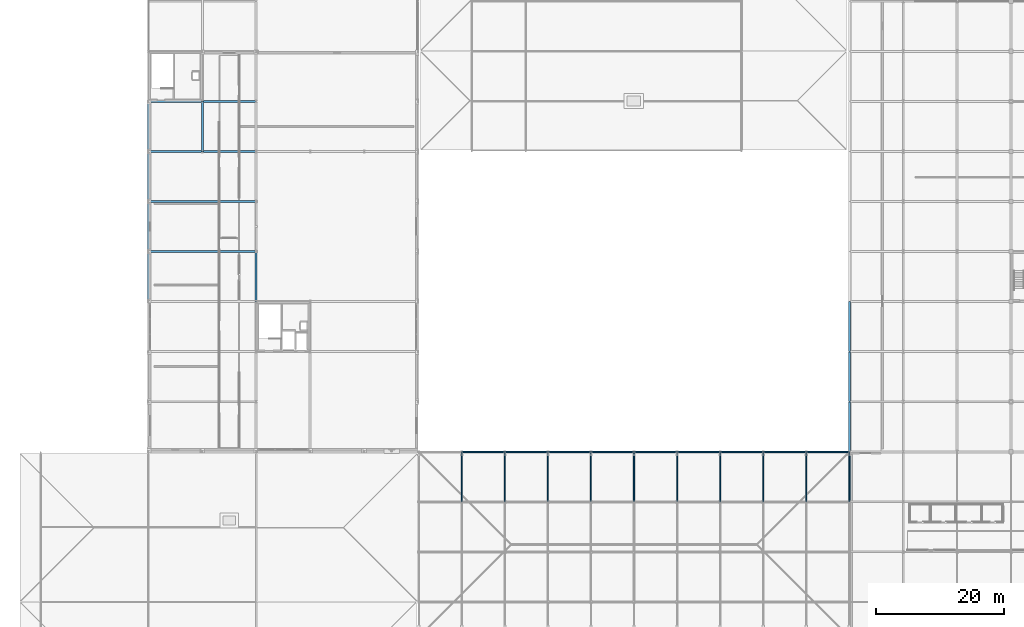
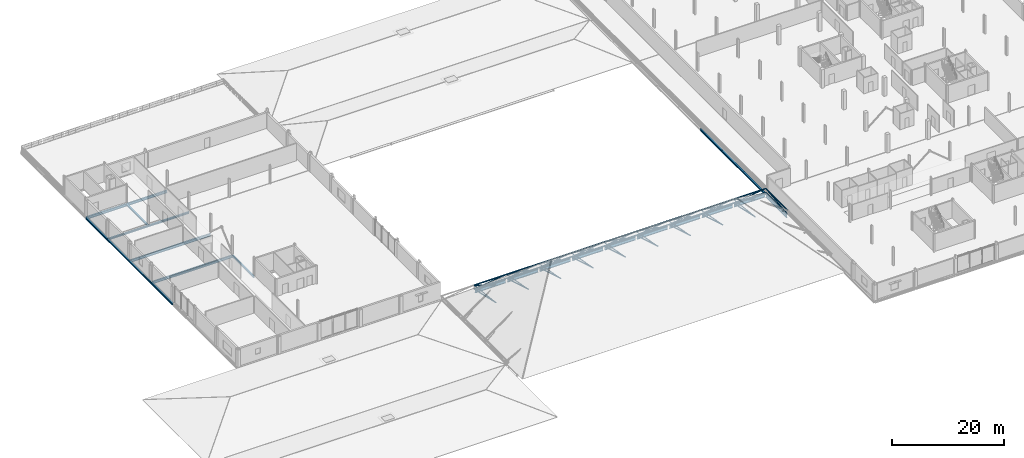
# One storey, part 36 of 77: 57 members, 25 beams.
"""IFC4 building model written with IfcOpenShell, lengths in metres."""

from ifc_helpers import new_model, si_unit, direction, frame, origin, origin_2d, place, context, subcontext, project, spatial, hollow_circle, i_section, extrude, material, material_profile, profile_set, type_object, element, save


model = new_model("IFC4")

# Units and contexts
model_context = context("Model", 3, precision=1e-05, world=origin(), true_north=direction((0.0, 1.0)))
body_context = subcontext(model_context, "Body", "Model", "MODEL_VIEW")
ifc_project = project(units=[si_unit("LENGTHUNIT", "METRE"), si_unit("AREAUNIT", "SQUARE_METRE"), si_unit("VOLUMEUNIT", "CUBIC_METRE"), si_unit("PLANEANGLEUNIT", "RADIAN"), si_unit("MASSUNIT", "GRAM", prefix="KILO")], contexts=[model_context])

# Site, building, storey
site_placement = place(None, origin())
site = spatial("IfcSite", under=ifc_project, at=site_placement, CompositionType="ELEMENT")
building_placement = place(site_placement, origin())
building = spatial("IfcBuilding", under=site, at=building_placement, Name="Nabrawat Pavilion Hospital", CompositionType="ELEMENT")
storey_placement = place(building_placement, frame((0.0, 0.0, 14.85009765625)))
storey = spatial("IfcBuildingStorey", under=building, at=storey_placement, Name="L03", CompositionType="ELEMENT", Elevation=14.85009765625)

# Beams
ifc_material = material(Name="Steel S355", Category="steel")
ifc_material_profile_1 = material_profile(ifc_material, i_section(OverallWidth=0.300048828125, OverallDepth=0.699951171875, WebThickness=0.01708984375, FlangeThickness=0.031982421875, FilletRadius=0.027099609375, at=origin_2d()), Name="HEB 700")
ifc_profile_set_1 = profile_set([ifc_material_profile_1], Name="Steel S355")
beam_type_1 = type_object("IfcBeamType", Name="Main Hall Space-Frame Perimeter Ring Girder HEB 700", PredefinedType="USERDEFINED", material=ifc_profile_set_1)
for number, where, z_axis, x_axis, name in (
    (1, (65.80126953125, 39.0, -0.60009765625), (1.0, 0.0, 0.0), (0.0, 1.0, 0.0), "L03 Main Hall Space-Frame Perimeter Ring Girder 1465"),
    (2, (72.50927734375, 39.0, -0.60009765625), (1.0, 0.0, 0.0), (0.0, 1.0, 0.0), "L03 Main Hall Space-Frame Perimeter Ring Girder 1466"),
    (3, (79.21728515625, 39.0, -0.60009765625), (1.0, 0.0, 0.0), (0.0, 1.0, 0.0), "L03 Main Hall Space-Frame Perimeter Ring Girder 1467"),
    (4, (85.92529296875, 39.0, -0.60009765625), (1.0, 0.0, 0.0), (0.0, 1.0, 0.0), "L03 Main Hall Space-Frame Perimeter Ring Girder 1468"),
    (5, (92.63330078125, 39.0, -0.60009765625), (1.0, 0.0, 0.0), (0.0, 1.0, 0.0), "L03 Main Hall Space-Frame Perimeter Ring Girder 1469"),
    (6, (99.34130859375, 39.0, -0.60009765625), (1.0, 0.0, 0.0), (0.0, 1.0, 0.0), "L03 Main Hall Space-Frame Perimeter Ring Girder 1470"),
    (7, (106.04931640625, 39.0, -0.60009765625), (1.0, 0.0, 0.0), (0.0, 1.0, 0.0), "L03 Main Hall Space-Frame Perimeter Ring Girder 1471"),
):
    element("IfcBeam", number, at=place(storey_placement, frame(where, z_axis=z_axis, x_axis=x_axis)), inside=storey, type_object=beam_type_1, Name=name, ObjectType="GIRDER", PredefinedType="USERDEFINED", context=body_context, shape_type="SweptSolid", body=[
        extrude(i_section(OverallWidth=0.300048828125, OverallDepth=0.699951171875, WebThickness=0.01708984375, FlangeThickness=0.031982421875, FilletRadius=0.027099609375, at=origin_2d()), origin(), (0.0, 0.0, 1.0), 6.361572265625),
    ])
for number, where, z_axis, x_axis, name in (
    (8, (112.757080078125, 39.0, -0.60009765625), (1.0, 0.0, 0.0), (0.0, 1.0, 0.0), "L03 Main Hall Space-Frame Perimeter Ring Girder 1472"),
    (9, (119.465087890625, 39.0, -0.60009765625), (1.0, 0.0, 0.0), (0.0, 1.0, 0.0), "L03 Main Hall Space-Frame Perimeter Ring Girder 1473"),
):
    element("IfcBeam", number, at=place(storey_placement, frame(where, z_axis=z_axis, x_axis=x_axis)), inside=storey, type_object=beam_type_1, Name=name, ObjectType="GIRDER", PredefinedType="USERDEFINED", context=body_context, shape_type="SweptSolid", body=[
        extrude(i_section(OverallWidth=0.300048828125, OverallDepth=0.699951171875, WebThickness=0.01708984375, FlangeThickness=0.031982421875, FilletRadius=0.027099609375, at=origin_2d()), origin(), (0.0, 0.0, 1.0), 6.36181640625),
    ])
beam_1_placement = place(storey_placement, frame((126.0, 31.373291015625, -0.60009765625), z_axis=(0.0, 1.0, 0.0), x_axis=(-1.0, 0.0, 0.0)))
element("IfcBeam", 10, at=beam_1_placement, inside=storey, type_object=beam_type_1, Name="L03 Main Hall Space-Frame Perimeter Ring Girder 1628", ObjectType="GIRDER", PredefinedType="USERDEFINED", context=body_context, shape_type="SweptSolid", body=[
    extrude(i_section(OverallWidth=0.300048828125, OverallDepth=0.699951171875, WebThickness=0.01708984375, FlangeThickness=0.031982421875, FilletRadius=0.027099609375, at=origin_2d()), origin(), (0.0, 0.0, 1.0), 7.45361328125),
])
ifc_material_profile_2 = material_profile(ifc_material, i_section(OverallWidth=0.300048828125, OverallDepth=0.389892578125, WebThickness=0.010986328125, FlangeThickness=0.01904296875, FilletRadius=0.027099609375, at=origin_2d()), Name="HEA 400")
ifc_profile_set_2 = profile_set([ifc_material_profile_2], Name="Steel S355")
beam_type_2 = type_object("IfcBeamType", Name="Perimeter Moment Spandrel Beam HEA 400", PredefinedType="SPANDREL", material=ifc_profile_set_2)
for number, where, z_axis, x_axis, name in (
    (11, (16.800048828125, 62.419921875, -0.465087890625), (0.0, 1.0, 0.0), (-1.0, 0.0, 0.0), "L03 Primary Y Beam 1590"),
    (12, (16.800048828125, 70.219970703125, -0.465087890625), (0.0, 1.0, 0.0), (-1.0, 0.0, 0.0), "L03 Primary Y Beam 1591"),
    (13, (16.800048828125, 78.02001953125, -0.465087890625), (0.0, 1.0, 0.0), (-1.0, 0.0, 0.0), "L03 Primary Y Beam 1592"),
    (14, (16.800048828125, 85.820068359375, -0.465087890625), (0.0, 1.0, 0.0), (-1.0, 0.0, 0.0), "L03 Primary Y Beam 1593"),
    (15, (126.0, 39.02001953125, -0.445068359375), (0.0, 1.0, 0.0), (-1.0, 0.0, 0.0), "L03 Primary Y Beam 1629"),
    (16, (126.0, 46.820068359375, -0.445068359375), (0.0, 1.0, 0.0), (-1.0, 0.0, 0.0), "L03 Primary Y Beam 1630"),
):
    element("IfcBeam", number, at=place(storey_placement, frame(where, z_axis=z_axis, x_axis=x_axis)), inside=storey, type_object=beam_type_2, Name=name, PredefinedType="SPANDREL", context=body_context, shape_type="SweptSolid", body=[
        extrude(i_section(OverallWidth=0.300048828125, OverallDepth=0.389892578125, WebThickness=0.010986328125, FlangeThickness=0.01904296875, FilletRadius=0.027099609375, at=origin_2d()), origin(), (0.0, 0.0, 1.0), 7.760009765625),
    ])
beam_2_placement = place(storey_placement, frame((126.0, 54.6201171875, -0.445068359375), z_axis=(0.0, 1.0, 0.0), x_axis=(-1.0, 0.0, 0.0)))
element("IfcBeam", 17, at=beam_2_placement, inside=storey, type_object=beam_type_2, Name="L03 Primary Y Beam 1631", PredefinedType="SPANDREL", context=body_context, shape_type="SweptSolid", body=[
    extrude(i_section(OverallWidth=0.300048828125, OverallDepth=0.389892578125, WebThickness=0.010986328125, FlangeThickness=0.01904296875, FilletRadius=0.027099609375, at=origin_2d()), origin(), (0.0, 0.0, 1.0), 7.759765625),
])
ifc_material_profile_3 = material_profile(ifc_material, i_section(OverallWidth=0.300048828125, OverallDepth=0.5400390625, WebThickness=0.012451171875, FlangeThickness=0.02392578125, FilletRadius=0.027099609375, at=origin_2d()), Name="HEA 550")
ifc_profile_set_3 = profile_set([ifc_material_profile_3], Name="Steel S355")
beam_type_3 = type_object("IfcBeamType", Name="Primary Clinical Girder HEA 550", PredefinedType="USERDEFINED", material=ifc_profile_set_3)
for number, where, z_axis, x_axis, name in (
    (18, (16.820068359375, 70.199951171875, -0.5400390625), (1.0, 0.0, 0.0), (0.0, 1.0, 0.0), "L03 Primary X Girder 1512"),
    (19, (16.820068359375, 78.0, -0.5400390625), (1.0, 0.0, 0.0), (0.0, 1.0, 0.0), "L03 Primary X Girder 1521"),
):
    element("IfcBeam", number, at=place(storey_placement, frame(where, z_axis=z_axis, x_axis=x_axis)), inside=storey, type_object=beam_type_3, Name=name, ObjectType="GIRDER", PredefinedType="USERDEFINED", context=body_context, shape_type="SweptSolid", body=[
        extrude(i_section(OverallWidth=0.300048828125, OverallDepth=0.5400390625, WebThickness=0.012451171875, FlangeThickness=0.02392578125, FilletRadius=0.027099609375, at=origin_2d()), origin(), (0.0, 0.0, 1.0), 16.760009765625),
    ])
beam_3_placement = place(storey_placement, frame((16.820068359375, 93.60009765625, -0.5400390625), z_axis=(1.0, 0.0, 0.0), x_axis=(0.0, 1.0, 0.0)))
element("IfcBeam", 20, at=beam_3_placement, inside=storey, type_object=beam_type_3, Name="L03 Primary X Girder 1543", ObjectType="GIRDER", PredefinedType="USERDEFINED", context=body_context, shape_type="SweptSolid", body=[
    extrude(i_section(OverallWidth=0.300048828125, OverallDepth=0.5400390625, WebThickness=0.012451171875, FlangeThickness=0.02392578125, FilletRadius=0.027099609375, at=origin_2d()), origin(), (0.0, 0.0, 1.0), 8.35986328125),
])
beam_4_placement = place(storey_placement, frame((25.219970703125, 93.60009765625, -0.5400390625), z_axis=(1.0, 0.0, 0.0), x_axis=(0.0, 1.0, 0.0)))
element("IfcBeam", 21, at=beam_4_placement, inside=storey, type_object=beam_type_3, Name="L03 Primary X Girder 1544", ObjectType="GIRDER", PredefinedType="USERDEFINED", context=body_context, shape_type="SweptSolid", body=[
    extrude(i_section(OverallWidth=0.300048828125, OverallDepth=0.5400390625, WebThickness=0.012451171875, FlangeThickness=0.02392578125, FilletRadius=0.027099609375, at=origin_2d()), origin(), (0.0, 0.0, 1.0), 8.360107421875),
])

# Members
ifc_material_profile_4 = material_profile(ifc_material, hollow_circle(Radius=0.136474609375, WallThickness=0.012451171875, at=origin_2d()), Name="CHS 273x12.5")
ifc_profile_set_4 = profile_set([ifc_material_profile_4], Name="Steel S355")
member_type_1 = type_object("IfcMemberType", Name="Space Frame Primary Chord CHS 273x12.5", PredefinedType="CHORD", material=ifc_profile_set_4)
for number, where, z_axis, x_axis, name in (
    (22, (65.6279296875, 39.0, 0.7998046875), (1.0, 0.0, 0.0), (0.0, 1.0, 0.0), "Space Frame Chord Top X 0047"),
    (23, (65.6279296875, 39.0, -0.050048828125), (1.0, 0.0, 0.0), (0.0, 1.0, 0.0), "Space Frame Chord Bottom X 0048"),
    (24, (72.3359375, 39.0, 0.7998046875), (1.0, 0.0, 0.0), (0.0, 1.0, 0.0), "Space Frame Chord Top X 0072"),
    (25, (72.3359375, 39.0, -0.050048828125), (1.0, 0.0, 0.0), (0.0, 1.0, 0.0), "Space Frame Chord Bottom X 0073"),
    (26, (79.0439453125, 39.0, 0.7998046875), (1.0, 0.0, 0.0), (0.0, 1.0, 0.0), "Space Frame Chord Top X 0097"),
    (27, (79.0439453125, 39.0, -0.050048828125), (1.0, 0.0, 0.0), (0.0, 1.0, 0.0), "Space Frame Chord Bottom X 0098"),
    (28, (85.751953125, 39.0, 0.7998046875), (1.0, 0.0, 0.0), (0.0, 1.0, 0.0), "Space Frame Chord Top X 0122"),
    (29, (85.751953125, 39.0, -0.050048828125), (1.0, 0.0, 0.0), (0.0, 1.0, 0.0), "Space Frame Chord Bottom X 0123"),
    (30, (92.4599609375, 39.0, 0.7998046875), (1.0, 0.0, 0.0), (0.0, 1.0, 0.0), "Space Frame Chord Top X 0147"),
    (31, (92.4599609375, 39.0, -0.050048828125), (1.0, 0.0, 0.0), (0.0, 1.0, 0.0), "Space Frame Chord Bottom X 0148"),
    (32, (99.16796875, 39.0, 0.7998046875), (1.0, 0.0, 0.0), (0.0, 1.0, 0.0), "Space Frame Chord Top X 0172"),
    (33, (99.16796875, 39.0, -0.050048828125), (1.0, 0.0, 0.0), (0.0, 1.0, 0.0), "Space Frame Chord Bottom X 0173"),
    (34, (105.8759765625, 39.0, 0.7998046875), (1.0, 0.0, 0.0), (0.0, 1.0, 0.0), "Space Frame Chord Top X 0197"),
    (35, (105.8759765625, 39.0, -0.050048828125), (1.0, 0.0, 0.0), (0.0, 1.0, 0.0), "Space Frame Chord Bottom X 0198"),
    (36, (112.583984375, 39.0, 0.7998046875), (1.0, 0.0, 0.0), (0.0, 1.0, 0.0), "Space Frame Chord Top X 0222"),
    (37, (112.583984375, 39.0, -0.050048828125), (1.0, 0.0, 0.0), (0.0, 1.0, 0.0), "Space Frame Chord Bottom X 0223"),
    (38, (119.2919921875, 39.0, 0.7998046875), (1.0, 0.0, 0.0), (0.0, 1.0, 0.0), "Space Frame Chord Top X 0247"),
    (39, (119.2919921875, 39.0, -0.050048828125), (1.0, 0.0, 0.0), (0.0, 1.0, 0.0), "Space Frame Chord Bottom X 0248"),
):
    element("IfcMember", number, at=place(storey_placement, frame(where, z_axis=z_axis, x_axis=x_axis)), inside=storey, type_object=member_type_1, Name=name, PredefinedType="CHORD", context=body_context, shape_type="SweptSolid", body=[
        extrude(hollow_circle(Radius=0.136474609375, WallThickness=0.012451171875, at=origin_2d()), origin(), (0.0, 0.0, 1.0), 6.7080078125),
    ])
ifc_material_profile_5 = material_profile(ifc_material, hollow_circle(Radius=0.096923828125, WallThickness=0.010009765625, at=origin_2d()), Name="CHS 193.7x10")
ifc_profile_set_5 = profile_set([ifc_material_profile_5], Name="Steel S355")
member_type_2 = type_object("IfcMemberType", Name="Space Frame Primary Diagonal CHS 193.7x10", PredefinedType="BRACE", material=ifc_profile_set_5)
member_1_placement = place(storey_placement, frame((65.6279296875, 31.199951171875, 1.716064453125), z_axis=(0.0, 0.993171171547, -0.116666293368), x_axis=(-1.0, 0.0, 0.0)))
element("IfcMember", 40, at=member_1_placement, inside=storey, type_object=member_type_2, Name="Space Frame Diagonal Web Y 0046", PredefinedType="BRACE", context=body_context, shape_type="SweptSolid", body=[
    extrude(hollow_circle(Radius=0.096923828125, WallThickness=0.010009765625, at=origin_2d()), origin(), (0.0, 0.0, 1.0), 7.853759765625),
])
member_2_placement = place(storey_placement, frame((65.6279296875, 39.0, -0.050048828125), z_axis=(0.992069857778, 0.0, 0.125687697442), x_axis=(0.0, 1.0, 0.0)))
element("IfcMember", 41, at=member_2_placement, inside=storey, type_object=member_type_2, Name="Space Frame Diagonal Web X 0050", PredefinedType="BRACE", context=body_context, shape_type="SweptSolid", body=[
    extrude(hollow_circle(Radius=0.096923828125, WallThickness=0.010009765625, at=origin_2d()), origin(), (0.0, 0.0, 1.0), 6.76171875),
])
member_3_placement = place(storey_placement, frame((72.3359375, 31.199951171875, 2.298583984375), z_axis=(0.0, 0.982035156194, -0.188698044504), x_axis=(-1.0, 0.0, 0.0)))
element("IfcMember", 42, at=member_3_placement, inside=storey, type_object=member_type_2, Name="Space Frame Diagonal Web Y 0071", PredefinedType="BRACE", context=body_context, shape_type="SweptSolid", body=[
    extrude(hollow_circle(Radius=0.096923828125, WallThickness=0.010009765625, at=origin_2d()), origin(), (0.0, 0.0, 1.0), 7.942626953125),
])
member_4_placement = place(storey_placement, frame((72.3359375, 39.0, -0.050048828125), z_axis=(0.992069857778, 0.0, 0.125687697442), x_axis=(0.0, 1.0, 0.0)))
element("IfcMember", 43, at=member_4_placement, inside=storey, type_object=member_type_2, Name="Space Frame Diagonal Web X 0075", PredefinedType="BRACE", context=body_context, shape_type="SweptSolid", body=[
    extrude(hollow_circle(Radius=0.096923828125, WallThickness=0.010009765625, at=origin_2d()), origin(), (0.0, 0.0, 1.0), 6.76171875),
])
member_5_placement = place(storey_placement, frame((79.0439453125, 31.199951171875, 2.298583984375), z_axis=(0.0, 0.982035156194, -0.188698044504), x_axis=(-1.0, 0.0, 0.0)))
element("IfcMember", 44, at=member_5_placement, inside=storey, type_object=member_type_2, Name="Space Frame Diagonal Web Y 0096", PredefinedType="BRACE", context=body_context, shape_type="SweptSolid", body=[
    extrude(hollow_circle(Radius=0.096923828125, WallThickness=0.010009765625, at=origin_2d()), origin(), (0.0, 0.0, 1.0), 7.942626953125),
])
member_6_placement = place(storey_placement, frame((79.0439453125, 39.0, -0.050048828125), z_axis=(0.992069857778, 0.0, 0.125687697442), x_axis=(0.0, 1.0, 0.0)))
element("IfcMember", 45, at=member_6_placement, inside=storey, type_object=member_type_2, Name="Space Frame Diagonal Web X 0100", PredefinedType="BRACE", context=body_context, shape_type="SweptSolid", body=[
    extrude(hollow_circle(Radius=0.096923828125, WallThickness=0.010009765625, at=origin_2d()), origin(), (0.0, 0.0, 1.0), 6.76171875),
])
member_7_placement = place(storey_placement, frame((85.751953125, 31.199951171875, 2.298583984375), z_axis=(0.0, 0.982035156194, -0.188698044504), x_axis=(-1.0, 0.0, 0.0)))
element("IfcMember", 46, at=member_7_placement, inside=storey, type_object=member_type_2, Name="Space Frame Diagonal Web Y 0121", PredefinedType="BRACE", context=body_context, shape_type="SweptSolid", body=[
    extrude(hollow_circle(Radius=0.096923828125, WallThickness=0.010009765625, at=origin_2d()), origin(), (0.0, 0.0, 1.0), 7.942626953125),
])
member_8_placement = place(storey_placement, frame((85.751953125, 39.0, -0.050048828125), z_axis=(0.992069857778, 0.0, 0.125687697442), x_axis=(0.0, 1.0, 0.0)))
element("IfcMember", 47, at=member_8_placement, inside=storey, type_object=member_type_2, Name="Space Frame Diagonal Web X 0125", PredefinedType="BRACE", context=body_context, shape_type="SweptSolid", body=[
    extrude(hollow_circle(Radius=0.096923828125, WallThickness=0.010009765625, at=origin_2d()), origin(), (0.0, 0.0, 1.0), 6.76171875),
])
member_9_placement = place(storey_placement, frame((92.4599609375, 31.199951171875, 2.298583984375), z_axis=(0.0, 0.982035156194, -0.188698044504), x_axis=(-1.0, 0.0, 0.0)))
element("IfcMember", 48, at=member_9_placement, inside=storey, type_object=member_type_2, Name="Space Frame Diagonal Web Y 0146", PredefinedType="BRACE", context=body_context, shape_type="SweptSolid", body=[
    extrude(hollow_circle(Radius=0.096923828125, WallThickness=0.010009765625, at=origin_2d()), origin(), (0.0, 0.0, 1.0), 7.942626953125),
])
member_10_placement = place(storey_placement, frame((92.4599609375, 39.0, -0.050048828125), z_axis=(0.992069857778, 0.0, 0.125687697442), x_axis=(0.0, 1.0, 0.0)))
element("IfcMember", 49, at=member_10_placement, inside=storey, type_object=member_type_2, Name="Space Frame Diagonal Web X 0150", PredefinedType="BRACE", context=body_context, shape_type="SweptSolid", body=[
    extrude(hollow_circle(Radius=0.096923828125, WallThickness=0.010009765625, at=origin_2d()), origin(), (0.0, 0.0, 1.0), 6.76171875),
])
member_11_placement = place(storey_placement, frame((99.16796875, 31.199951171875, 2.298583984375), z_axis=(0.0, 0.982035156194, -0.188698044504), x_axis=(-1.0, 0.0, 0.0)))
element("IfcMember", 50, at=member_11_placement, inside=storey, type_object=member_type_2, Name="Space Frame Diagonal Web Y 0171", PredefinedType="BRACE", context=body_context, shape_type="SweptSolid", body=[
    extrude(hollow_circle(Radius=0.096923828125, WallThickness=0.010009765625, at=origin_2d()), origin(), (0.0, 0.0, 1.0), 7.942626953125),
])
member_12_placement = place(storey_placement, frame((99.16796875, 39.0, -0.050048828125), z_axis=(0.992069857778, 0.0, 0.125687697442), x_axis=(0.0, 1.0, 0.0)))
element("IfcMember", 51, at=member_12_placement, inside=storey, type_object=member_type_2, Name="Space Frame Diagonal Web X 0175", PredefinedType="BRACE", context=body_context, shape_type="SweptSolid", body=[
    extrude(hollow_circle(Radius=0.096923828125, WallThickness=0.010009765625, at=origin_2d()), origin(), (0.0, 0.0, 1.0), 6.76171875),
])
member_13_placement = place(storey_placement, frame((105.8759765625, 31.199951171875, 2.298583984375), z_axis=(0.0, 0.982035156194, -0.188698044504), x_axis=(-1.0, 0.0, 0.0)))
element("IfcMember", 52, at=member_13_placement, inside=storey, type_object=member_type_2, Name="Space Frame Diagonal Web Y 0196", PredefinedType="BRACE", context=body_context, shape_type="SweptSolid", body=[
    extrude(hollow_circle(Radius=0.096923828125, WallThickness=0.010009765625, at=origin_2d()), origin(), (0.0, 0.0, 1.0), 7.942626953125),
])
member_14_placement = place(storey_placement, frame((105.8759765625, 39.0, -0.050048828125), z_axis=(0.992069857778, 0.0, 0.125687697442), x_axis=(0.0, 1.0, 0.0)))
element("IfcMember", 53, at=member_14_placement, inside=storey, type_object=member_type_2, Name="Space Frame Diagonal Web X 0200", PredefinedType="BRACE", context=body_context, shape_type="SweptSolid", body=[
    extrude(hollow_circle(Radius=0.096923828125, WallThickness=0.010009765625, at=origin_2d()), origin(), (0.0, 0.0, 1.0), 6.76171875),
])
member_15_placement = place(storey_placement, frame((112.583984375, 31.199951171875, 2.298583984375), z_axis=(0.0, 0.982035156194, -0.188698044504), x_axis=(-1.0, 0.0, 0.0)))
element("IfcMember", 54, at=member_15_placement, inside=storey, type_object=member_type_2, Name="Space Frame Diagonal Web Y 0221", PredefinedType="BRACE", context=body_context, shape_type="SweptSolid", body=[
    extrude(hollow_circle(Radius=0.096923828125, WallThickness=0.010009765625, at=origin_2d()), origin(), (0.0, 0.0, 1.0), 7.942626953125),
])
member_16_placement = place(storey_placement, frame((112.583984375, 39.0, -0.050048828125), z_axis=(0.992069857778, 0.0, 0.125687697442), x_axis=(0.0, 1.0, 0.0)))
element("IfcMember", 55, at=member_16_placement, inside=storey, type_object=member_type_2, Name="Space Frame Diagonal Web X 0225", PredefinedType="BRACE", context=body_context, shape_type="SweptSolid", body=[
    extrude(hollow_circle(Radius=0.096923828125, WallThickness=0.010009765625, at=origin_2d()), origin(), (0.0, 0.0, 1.0), 6.76171875),
])
member_17_placement = place(storey_placement, frame((119.2919921875, 31.199951171875, 1.705078125), z_axis=(0.0, 0.993332326267, -0.115286120561), x_axis=(-1.0, 0.0, 0.0)))
element("IfcMember", 56, at=member_17_placement, inside=storey, type_object=member_type_2, Name="Space Frame Diagonal Web Y 0246", PredefinedType="BRACE", context=body_context, shape_type="SweptSolid", body=[
    extrude(hollow_circle(Radius=0.096923828125, WallThickness=0.010009765625, at=origin_2d()), origin(), (0.0, 0.0, 1.0), 7.852294921875),
])
member_18_placement = place(storey_placement, frame((119.2919921875, 39.0, -0.050048828125), z_axis=(0.992069857778, 0.0, 0.125687697442), x_axis=(0.0, 1.0, 0.0)))
element("IfcMember", 57, at=member_18_placement, inside=storey, type_object=member_type_2, Name="Space Frame Diagonal Web X 0250", PredefinedType="BRACE", context=body_context, shape_type="SweptSolid", body=[
    extrude(hollow_circle(Radius=0.096923828125, WallThickness=0.010009765625, at=origin_2d()), origin(), (0.0, 0.0, 1.0), 6.76171875),
])
member_19_placement = place(storey_placement, frame((126.0, 31.199951171875, -0.050048828125), z_axis=(0.0, 0.994116744553, 0.108313887376), x_axis=(-1.0, 0.0, 0.0)))
element("IfcMember", 58, at=member_19_placement, inside=storey, type_object=member_type_2, Name="Space Frame Diagonal Web Y 0262", PredefinedType="BRACE", context=body_context, shape_type="SweptSolid", body=[
    extrude(hollow_circle(Radius=0.096923828125, WallThickness=0.010009765625, at=origin_2d()), origin(), (0.0, 0.0, 1.0), 7.84619140625),
])
ifc_material_profile_6 = material_profile(ifc_material, hollow_circle(Radius=0.122314453125, WallThickness=0.012451171875, at=origin_2d()), Name="CHS 244.5x12.5")
ifc_profile_set_6 = profile_set([ifc_material_profile_6], Name="Steel S355")
member_type_3 = type_object("IfcMemberType", Name="Space Frame Transverse Chord CHS 244.5x12.5", PredefinedType="CHORD", material=ifc_profile_set_6)
member_20_placement = place(storey_placement, frame((65.6279296875, 31.199951171875, 5.493408203125), z_axis=(0.0, 0.856834374959, -0.515591751184), x_axis=(-1.0, 0.0, 0.0)))
element("IfcMember", 59, at=member_20_placement, inside=storey, type_object=member_type_3, Name="Space Frame Chord Top Y 0042", PredefinedType="CHORD", context=body_context, shape_type="SweptSolid", body=[
    extrude(hollow_circle(Radius=0.122314453125, WallThickness=0.012451171875, at=origin_2d()), origin(), (0.0, 0.0, 1.0), 9.103271484375),
])
member_21_placement = place(storey_placement, frame((65.6279296875, 31.199951171875, 1.716064453125), z_axis=(0.0, 0.975311562215, -0.220833323142), x_axis=(-1.0, 0.0, 0.0)))
element("IfcMember", 60, at=member_21_placement, inside=storey, type_object=member_type_3, Name="Space Frame Chord Bottom Y 0043", PredefinedType="CHORD", context=body_context, shape_type="SweptSolid", body=[
    extrude(hollow_circle(Radius=0.122314453125, WallThickness=0.012451171875, at=origin_2d()), origin(), (0.0, 0.0, 1.0), 7.99755859375),
])
member_22_placement = place(storey_placement, frame((72.3359375, 31.199951171875, 6.432861328125), z_axis=(0.0, 0.810694617612, -0.585469245114), x_axis=(-1.0, 0.0, 0.0)))
element("IfcMember", 61, at=member_22_placement, inside=storey, type_object=member_type_3, Name="Space Frame Chord Top Y 0067", PredefinedType="CHORD", context=body_context, shape_type="SweptSolid", body=[
    extrude(hollow_circle(Radius=0.122314453125, WallThickness=0.012451171875, at=origin_2d()), origin(), (0.0, 0.0, 1.0), 9.621337890625),
])
member_23_placement = place(storey_placement, frame((72.3359375, 31.199951171875, 2.298583984375), z_axis=(0.0, 0.957534609997, -0.2883183495), x_axis=(-1.0, 0.0, 0.0)))
element("IfcMember", 62, at=member_23_placement, inside=storey, type_object=member_type_3, Name="Space Frame Chord Bottom Y 0068", PredefinedType="CHORD", context=body_context, shape_type="SweptSolid", body=[
    extrude(hollow_circle(Radius=0.122314453125, WallThickness=0.012451171875, at=origin_2d()), origin(), (0.0, 0.0, 1.0), 8.14599609375),
])
member_24_placement = place(storey_placement, frame((79.0439453125, 31.199951171875, 6.432861328125), z_axis=(0.0, 0.810694617612, -0.585469245114), x_axis=(-1.0, 0.0, 0.0)))
element("IfcMember", 63, at=member_24_placement, inside=storey, type_object=member_type_3, Name="Space Frame Chord Top Y 0092", PredefinedType="CHORD", context=body_context, shape_type="SweptSolid", body=[
    extrude(hollow_circle(Radius=0.122314453125, WallThickness=0.012451171875, at=origin_2d()), origin(), (0.0, 0.0, 1.0), 9.621337890625),
])
member_25_placement = place(storey_placement, frame((79.0439453125, 31.199951171875, 2.298583984375), z_axis=(0.0, 0.957534609997, -0.2883183495), x_axis=(-1.0, 0.0, 0.0)))
element("IfcMember", 64, at=member_25_placement, inside=storey, type_object=member_type_3, Name="Space Frame Chord Bottom Y 0093", PredefinedType="CHORD", context=body_context, shape_type="SweptSolid", body=[
    extrude(hollow_circle(Radius=0.122314453125, WallThickness=0.012451171875, at=origin_2d()), origin(), (0.0, 0.0, 1.0), 8.14599609375),
])
member_26_placement = place(storey_placement, frame((85.751953125, 31.199951171875, 6.432861328125), z_axis=(0.0, 0.810694617612, -0.585469245114), x_axis=(-1.0, 0.0, 0.0)))
element("IfcMember", 65, at=member_26_placement, inside=storey, type_object=member_type_3, Name="Space Frame Chord Top Y 0117", PredefinedType="CHORD", context=body_context, shape_type="SweptSolid", body=[
    extrude(hollow_circle(Radius=0.122314453125, WallThickness=0.012451171875, at=origin_2d()), origin(), (0.0, 0.0, 1.0), 9.621337890625),
])
member_27_placement = place(storey_placement, frame((85.751953125, 31.199951171875, 2.298583984375), z_axis=(0.0, 0.957534609997, -0.2883183495), x_axis=(-1.0, 0.0, 0.0)))
element("IfcMember", 66, at=member_27_placement, inside=storey, type_object=member_type_3, Name="Space Frame Chord Bottom Y 0118", PredefinedType="CHORD", context=body_context, shape_type="SweptSolid", body=[
    extrude(hollow_circle(Radius=0.122314453125, WallThickness=0.012451171875, at=origin_2d()), origin(), (0.0, 0.0, 1.0), 8.14599609375),
])
member_28_placement = place(storey_placement, frame((92.4599609375, 31.199951171875, 6.432861328125), z_axis=(0.0, 0.810694617612, -0.585469245114), x_axis=(-1.0, 0.0, 0.0)))
element("IfcMember", 67, at=member_28_placement, inside=storey, type_object=member_type_3, Name="Space Frame Chord Top Y 0142", PredefinedType="CHORD", context=body_context, shape_type="SweptSolid", body=[
    extrude(hollow_circle(Radius=0.122314453125, WallThickness=0.012451171875, at=origin_2d()), origin(), (0.0, 0.0, 1.0), 9.621337890625),
])
member_29_placement = place(storey_placement, frame((92.4599609375, 31.199951171875, 2.298583984375), z_axis=(0.0, 0.957534609997, -0.2883183495), x_axis=(-1.0, 0.0, 0.0)))
element("IfcMember", 68, at=member_29_placement, inside=storey, type_object=member_type_3, Name="Space Frame Chord Bottom Y 0143", PredefinedType="CHORD", context=body_context, shape_type="SweptSolid", body=[
    extrude(hollow_circle(Radius=0.122314453125, WallThickness=0.012451171875, at=origin_2d()), origin(), (0.0, 0.0, 1.0), 8.14599609375),
])
member_30_placement = place(storey_placement, frame((99.16796875, 31.199951171875, 6.432861328125), z_axis=(0.0, 0.810694617612, -0.585469245114), x_axis=(-1.0, 0.0, 0.0)))
element("IfcMember", 69, at=member_30_placement, inside=storey, type_object=member_type_3, Name="Space Frame Chord Top Y 0167", PredefinedType="CHORD", context=body_context, shape_type="SweptSolid", body=[
    extrude(hollow_circle(Radius=0.122314453125, WallThickness=0.012451171875, at=origin_2d()), origin(), (0.0, 0.0, 1.0), 9.621337890625),
])
member_31_placement = place(storey_placement, frame((99.16796875, 31.199951171875, 2.298583984375), z_axis=(0.0, 0.957534609997, -0.2883183495), x_axis=(-1.0, 0.0, 0.0)))
element("IfcMember", 70, at=member_31_placement, inside=storey, type_object=member_type_3, Name="Space Frame Chord Bottom Y 0168", PredefinedType="CHORD", context=body_context, shape_type="SweptSolid", body=[
    extrude(hollow_circle(Radius=0.122314453125, WallThickness=0.012451171875, at=origin_2d()), origin(), (0.0, 0.0, 1.0), 8.14599609375),
])
member_32_placement = place(storey_placement, frame((105.8759765625, 31.199951171875, 6.432861328125), z_axis=(0.0, 0.810694617612, -0.585469245114), x_axis=(-1.0, 0.0, 0.0)))
element("IfcMember", 71, at=member_32_placement, inside=storey, type_object=member_type_3, Name="Space Frame Chord Top Y 0192", PredefinedType="CHORD", context=body_context, shape_type="SweptSolid", body=[
    extrude(hollow_circle(Radius=0.122314453125, WallThickness=0.012451171875, at=origin_2d()), origin(), (0.0, 0.0, 1.0), 9.621337890625),
])
member_33_placement = place(storey_placement, frame((105.8759765625, 31.199951171875, 2.298583984375), z_axis=(0.0, 0.957534609997, -0.2883183495), x_axis=(-1.0, 0.0, 0.0)))
element("IfcMember", 72, at=member_33_placement, inside=storey, type_object=member_type_3, Name="Space Frame Chord Bottom Y 0193", PredefinedType="CHORD", context=body_context, shape_type="SweptSolid", body=[
    extrude(hollow_circle(Radius=0.122314453125, WallThickness=0.012451171875, at=origin_2d()), origin(), (0.0, 0.0, 1.0), 8.14599609375),
])
member_34_placement = place(storey_placement, frame((112.583984375, 31.199951171875, 6.432861328125), z_axis=(0.0, 0.810694617612, -0.585469245114), x_axis=(-1.0, 0.0, 0.0)))
element("IfcMember", 73, at=member_34_placement, inside=storey, type_object=member_type_3, Name="Space Frame Chord Top Y 0217", PredefinedType="CHORD", context=body_context, shape_type="SweptSolid", body=[
    extrude(hollow_circle(Radius=0.122314453125, WallThickness=0.012451171875, at=origin_2d()), origin(), (0.0, 0.0, 1.0), 9.621337890625),
])
member_35_placement = place(storey_placement, frame((112.583984375, 31.199951171875, 2.298583984375), z_axis=(0.0, 0.957534609997, -0.2883183495), x_axis=(-1.0, 0.0, 0.0)))
element("IfcMember", 74, at=member_35_placement, inside=storey, type_object=member_type_3, Name="Space Frame Chord Bottom Y 0218", PredefinedType="CHORD", context=body_context, shape_type="SweptSolid", body=[
    extrude(hollow_circle(Radius=0.122314453125, WallThickness=0.012451171875, at=origin_2d()), origin(), (0.0, 0.0, 1.0), 8.14599609375),
])
member_36_placement = place(storey_placement, frame((119.2919921875, 31.199951171875, 5.475830078125), z_axis=(0.0, 0.857687099743, -0.514171993533), x_axis=(-1.0, 0.0, 0.0)))
element("IfcMember", 75, at=member_36_placement, inside=storey, type_object=member_type_3, Name="Space Frame Chord Top Y 0242", PredefinedType="CHORD", context=body_context, shape_type="SweptSolid", body=[
    extrude(hollow_circle(Radius=0.122314453125, WallThickness=0.012451171875, at=origin_2d()), origin(), (0.0, 0.0, 1.0), 9.09423828125),
])
member_37_placement = place(storey_placement, frame((119.2919921875, 31.199951171875, 1.705078125), z_axis=(0.0, 0.975606649682, -0.219526000957), x_axis=(-1.0, 0.0, 0.0)))
element("IfcMember", 76, at=member_37_placement, inside=storey, type_object=member_type_3, Name="Space Frame Chord Bottom Y 0243", PredefinedType="CHORD", context=body_context, shape_type="SweptSolid", body=[
    extrude(hollow_circle(Radius=0.122314453125, WallThickness=0.012451171875, at=origin_2d()), origin(), (0.0, 0.0, 1.0), 7.9951171875),
])
for number, where, z_axis, x_axis, name in (
    (77, (126.0, 31.199951171875, 0.7998046875), (0.0, 1.0, 0.0), (-1.0, 0.0, 0.0), "Space Frame Chord Top Y 0259"),
    (78, (126.0, 31.199951171875, -0.050048828125), (0.0, 1.0, 0.0), (-1.0, 0.0, 0.0), "Space Frame Chord Bottom Y 0260"),
):
    element("IfcMember", number, at=place(storey_placement, frame(where, z_axis=z_axis, x_axis=x_axis)), inside=storey, type_object=member_type_3, Name=name, PredefinedType="CHORD", context=body_context, shape_type="SweptSolid", body=[
        extrude(hollow_circle(Radius=0.122314453125, WallThickness=0.012451171875, at=origin_2d()), origin(), (0.0, 0.0, 1.0), 7.800048828125),
    ])

# Beams
ifc_material_profile_7 = material_profile(ifc_material, i_section(OverallWidth=0.300048828125, OverallDepth=0.360107421875, WebThickness=0.012451171875, FlangeThickness=0.0224609375, FilletRadius=0.027099609375, at=origin_2d()), Name="HEB 360")
ifc_profile_set_7 = profile_set([ifc_material_profile_7], Name="Steel S355")
beam_type_4 = type_object("IfcBeamType", Name="Surgical Perimeter Spandrel HEB 360", PredefinedType="SPANDREL", material=ifc_profile_set_7)
beam_5_placement = place(storey_placement, frame((16.820068359375, 85.800048828125, -0.4501953125), z_axis=(1.0, 0.0, 0.0), x_axis=(0.0, 1.0, 0.0)))
element("IfcBeam", 79, at=beam_5_placement, inside=storey, type_object=beam_type_4, Name="L03 Primary X Girder 1530", PredefinedType="SPANDREL", context=body_context, shape_type="SweptSolid", body=[
    extrude(i_section(OverallWidth=0.300048828125, OverallDepth=0.360107421875, WebThickness=0.012451171875, FlangeThickness=0.0224609375, FilletRadius=0.027099609375, at=origin_2d()), origin(), (0.0, 0.0, 1.0), 8.35986328125),
])
beam_6_placement = place(storey_placement, frame((25.219970703125, 85.800048828125, -0.4501953125), z_axis=(1.0, 0.0, 0.0), x_axis=(0.0, 1.0, 0.0)))
element("IfcBeam", 80, at=beam_6_placement, inside=storey, type_object=beam_type_4, Name="L03 Primary X Girder 1531", PredefinedType="SPANDREL", context=body_context, shape_type="SweptSolid", body=[
    extrude(i_section(OverallWidth=0.300048828125, OverallDepth=0.360107421875, WebThickness=0.012451171875, FlangeThickness=0.0224609375, FilletRadius=0.027099609375, at=origin_2d()), origin(), (0.0, 0.0, 1.0), 8.360107421875),
])
ifc_material_profile_8 = material_profile(ifc_material, i_section(OverallWidth=0.300048828125, OverallDepth=0.35009765625, WebThickness=0.009521484375, FlangeThickness=0.017578125, FilletRadius=0.027099609375, at=origin_2d()), Name="HEA 360")
ifc_profile_set_8 = profile_set([ifc_material_profile_8], Name="Steel S355")
beam_type_5 = type_object("IfcBeamType", Name="Surgical Stiffened Beam HEA 360", PredefinedType="BEAM", material=ifc_profile_set_8)
for number, where, z_axis, x_axis, name in (
    (81, (25.199951171875, 85.820068359375, -0.445068359375), (0.0, 1.0, 0.0), (-1.0, 0.0, 0.0), "L03 Primary Y Beam 1597"),
    (82, (33.60009765625, 62.419921875, -0.445068359375), (0.0, 1.0, 0.0), (-1.0, 0.0, 0.0), "L03 Primary Y Beam 1603"),
):
    element("IfcBeam", number, at=place(storey_placement, frame(where, z_axis=z_axis, x_axis=x_axis)), inside=storey, type_object=beam_type_5, Name=name, PredefinedType="BEAM", context=body_context, shape_type="SweptSolid", body=[
        extrude(i_section(OverallWidth=0.300048828125, OverallDepth=0.35009765625, WebThickness=0.009521484375, FlangeThickness=0.017578125, FilletRadius=0.027099609375, at=origin_2d()), origin(), (0.0, 0.0, 1.0), 7.760009765625),
    ])

save(model, "model.ifc")
